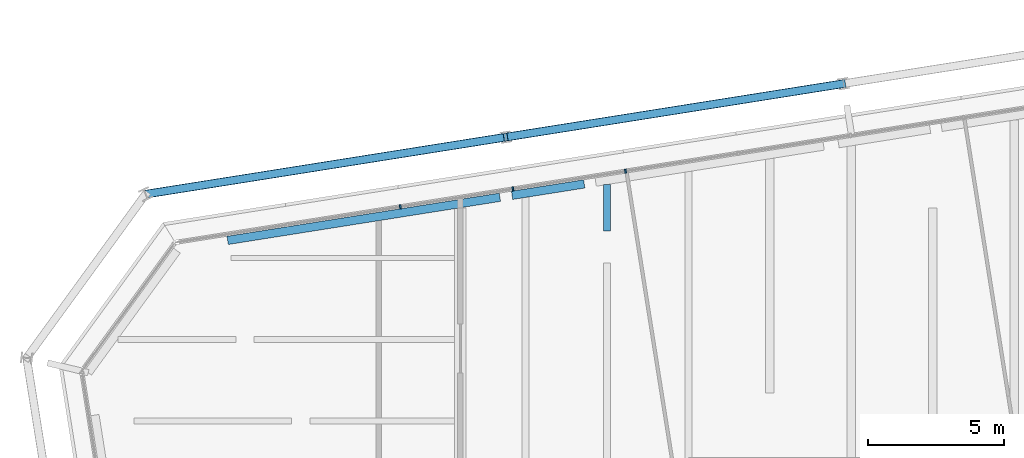
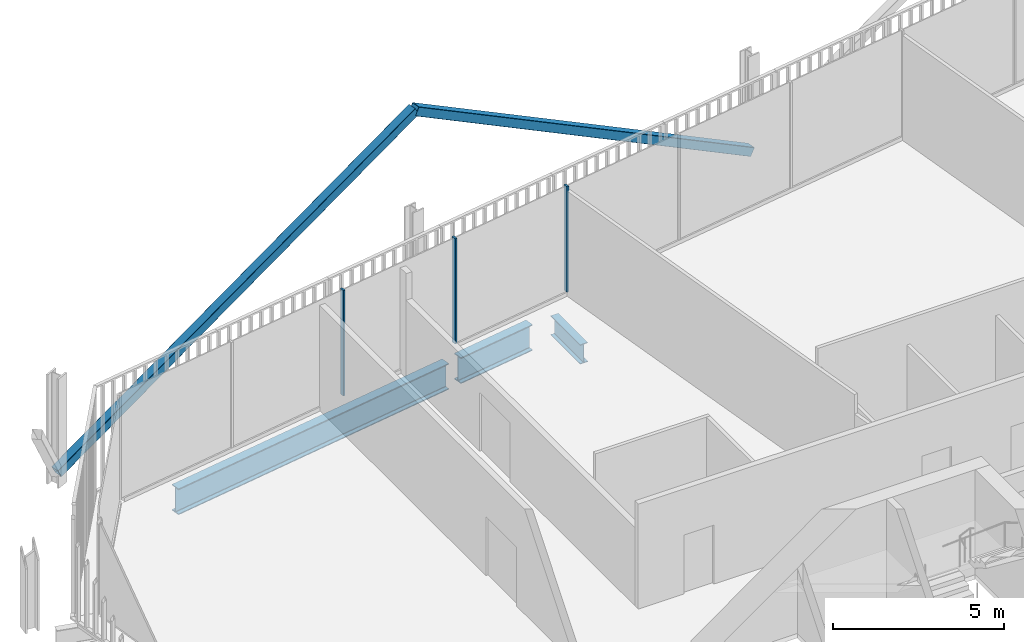
# One storey, part 12 of 20: 5 members, 3 beams, 1 element without a shape of its own.
"""IFC4 building model written with IfcOpenShell, lengths in metres."""

from ifc_helpers import new_model, si_unit, direction, frame, origin, origin_2d, place, context, subcontext, project, spatial, rectangle, hollow_rectangle, i_section, extrude, material, layer, layer_set, material_profile, profile_set, type_object, element, aggregate, save


model = new_model("IFC4")

# Units and contexts
model_context = context("Model", 3, precision=1e-05, world=origin(), true_north=direction((0.0, 1.0)))
body_context = subcontext(model_context, "Body", "Model", "MODEL_VIEW")
ifc_project = project(units=[si_unit("LENGTHUNIT", "METRE"), si_unit("AREAUNIT", "SQUARE_METRE"), si_unit("VOLUMEUNIT", "CUBIC_METRE"), si_unit("PLANEANGLEUNIT", "RADIAN"), si_unit("MASSUNIT", "GRAM", prefix="KILO")], contexts=[model_context])

# Site, building, storey
site_placement = place(None, origin())
site = spatial("IfcSite", under=ifc_project, at=site_placement, CompositionType="ELEMENT")
building_placement = place(site_placement, origin())
building = spatial("IfcBuilding", under=site, at=building_placement, Name="Millrace Tower", CompositionType="ELEMENT")
storey_placement = place(building_placement, frame((0.0, 0.0, 204.699951171875)))
storey = spatial("IfcBuildingStorey", under=building, at=storey_placement, Name="L46", CompositionType="ELEMENT", Elevation=204.699951171875)

# Curtain wall, members
ifc_material_1 = material(Name="Aluminium and glass", Category="aluminium")
ifc_layer = layer(ifc_material_1, 0.14990234375)
ifc_layer_set = layer_set([ifc_layer], Name="Aluminium and glass")
curtain_wall_type = type_object("IfcCurtainWallType", Name="CW-1 office vision curtain wall", PredefinedType="NOTDEFINED", material=ifc_layer_set)
curtain_wall_placement = place(storey_placement, origin())
curtain_wall = element("IfcCurtainWall", 1, at=curtain_wall_placement, inside=storey, type_object=curtain_wall_type, Name="Curtain wall D-F06 L46", PredefinedType="NOTDEFINED")
ifc_material_2 = material(Name="Aluminium", Category="aluminium")
ifc_material_profile_1 = material_profile(ifc_material_2, rectangle(XDim=0.06494140625, YDim=0.14990234375, at=origin_2d()))
ifc_profile_set_1 = profile_set([ifc_material_profile_1], Name="Aluminium")
member_type_1 = type_object("IfcMemberType", Name="CW-1 office vision curtain wall mullion", PredefinedType="MULLION", material=ifc_profile_set_1)
member_1_placement = place(storey_placement, frame((-8.31591796875, 27.207275390625, 0.14013671875), z_axis=(0.0, 0.0, 1.0), x_axis=(-0.987688339511, -0.156434471884, 0.0)))
member_1 = element("IfcMember", 2, at=member_1_placement, type_object=member_type_1, Name="CW1 mullion D-F06.6", PredefinedType="MULLION", context=body_context, shape_type="SweptSolid", body=[
    extrude(rectangle(XDim=0.06494140625, YDim=0.14990234375, at=origin_2d()), origin(), (0.0, 0.0, 1.0), 3.760009765625),
])
member_2_placement = place(storey_placement, frame((-12.46435546875, 26.55029296875, 0.14013671875), z_axis=(0.0, 0.0, 1.0), x_axis=(-0.987688339511, -0.156434471884, 0.0)))
member_2 = element("IfcMember", 3, at=member_2_placement, type_object=member_type_1, Name="CW1 mullion D-F06.7", PredefinedType="MULLION", context=body_context, shape_type="SweptSolid", body=[
    extrude(rectangle(XDim=0.06494140625, YDim=0.14990234375, at=origin_2d()), origin(), (0.0, 0.0, 1.0), 3.760009765625),
])
member_3_placement = place(storey_placement, frame((-16.612548828125, 25.893310546875, 0.14013671875), z_axis=(0.0, 0.0, 1.0), x_axis=(-0.987688339511, -0.156434471884, 0.0)))
member_3 = element("IfcMember", 4, at=member_3_placement, type_object=member_type_1, Name="CW1 mullion D-F06.8", PredefinedType="MULLION", context=body_context, shape_type="SweptSolid", body=[
    extrude(rectangle(XDim=0.06494140625, YDim=0.14990234375, at=origin_2d()), origin(), (0.0, 0.0, 1.0), 3.760009765625),
])
aggregate(curtain_wall, [member_1, member_2, member_3])

# Members
ifc_material_3 = material(Name="Steel ASTM A500 Grade C", Category="steel")
ifc_material_profile_2 = material_profile(ifc_material_3, hollow_rectangle(XDim=0.3046875, YDim=0.3046875, WallThickness=0.0126953125, InnerFilletRadius=0.00634765625, OuterFilletRadius=0.01904296875, at=origin_2d()))
ifc_profile_set_2 = profile_set([ifc_material_profile_2], Name="Steel ASTM A500 Grade C")
member_type_2 = type_object("IfcMemberType", Name="Exoskeleton brace HSS12x12x1/2", PredefinedType="BRACE", material=ifc_profile_set_2)
member_4_placement = place(storey_placement, frame((-0.288330078125, 30.427734375, 0.400146484375), z_axis=(-0.86339943803, -0.136738080691, 0.485637835943), x_axis=(0.156422238477, -0.987690277015, 0.0)))
element("IfcMember", 5, at=member_4_placement, inside=storey, type_object=member_type_2, Name="BRC-D-L46-11", PredefinedType="BRACE", context=body_context, shape_type="SweptSolid", body=[
    extrude(hollow_rectangle(XDim=0.3046875, YDim=0.3046875, WallThickness=0.0126953125, InnerFilletRadius=0.00634765625, OuterFilletRadius=0.01904296875, at=origin_2d()), origin(), (0.0, 0.0, 1.0), 14.4140625),
])
member_5_placement = place(storey_placement, frame((-25.996337890625, 26.35595703125, 0.400146484375), z_axis=(0.875829804371, 0.138730151249, 0.462251121048), x_axis=(-0.156448038127, 0.987686190734, 0.0)))
element("IfcMember", 6, at=member_5_placement, inside=storey, type_object=member_type_2, Name="BRC-D-L46-12", PredefinedType="BRACE", context=body_context, shape_type="SweptSolid", body=[
    extrude(hollow_rectangle(XDim=0.3046875, YDim=0.3046875, WallThickness=0.0126953125, InnerFilletRadius=0.00634765625, OuterFilletRadius=0.01904296875, at=origin_2d()), origin(), (0.0, 0.0, 1.0), 15.143310546875),
])

# Beams
ifc_material_4 = material(Name="Steel ASTM A992 Grade 50", Category="steel")
ifc_material_profile_3 = material_profile(ifc_material_4, i_section(OverallWidth=0.256591796875, OverallDepth=0.693359375, WebThickness=0.014404296875, FlangeThickness=0.023681640625, FilletRadius=0.01513671875, at=origin_2d()))
ifc_profile_set_3 = profile_set([ifc_material_profile_3], Name="Steel ASTM A992 Grade 50")
beam_type_1 = type_object("IfcBeamType", Name="Floor beam W27x114", PredefinedType="JOIST", material=ifc_profile_set_3)
beam_1_placement = place(storey_placement, frame((-9.0, 24.99462890625, -0.506591796875), z_axis=(0.0, 1.0, 0.0), x_axis=(-1.0, 0.0, 0.0)))
element("IfcBeam", 7, at=beam_1_placement, inside=storey, type_object=beam_type_1, Name="BM-D-L46-S1-S038-b", PredefinedType="JOIST", context=body_context, shape_type="SweptSolid", body=[
    extrude(i_section(OverallWidth=0.256591796875, OverallDepth=0.693359375, WebThickness=0.014404296875, FlangeThickness=0.023681640625, FilletRadius=0.01513671875, at=origin_2d()), origin(), (0.0, 0.0, 1.0), 1.71728515625),
])
ifc_material_5 = material(Name="Steel ASTM A992 Grade 50", Category="steel")
ifc_material_profile_4 = material_profile(ifc_material_5, i_section(OverallWidth=0.307373046875, OverallDepth=0.927001953125, WebThickness=0.01953125, FlangeThickness=0.031982421875, FilletRadius=0.01904296875, at=origin_2d()))
ifc_profile_set_4 = profile_set([ifc_material_profile_4], Name="Steel ASTM A992 Grade 50")
beam_type_2 = type_object("IfcBeamType", Name="Ring beam short span W36x194", PredefinedType="SPANDREL", material=ifc_profile_set_4)
beam_2_placement = place(storey_placement, frame((-12.4951171875, 26.31396484375, -0.62353515625), z_axis=(0.987697422942, 0.156377110584, 0.0), x_axis=(-0.156377110584, 0.987697422942, 0.0)))
element("IfcBeam", 8, at=beam_2_placement, inside=storey, type_object=beam_type_2, Name="RNG-D-L46-S1-06-a", PredefinedType="SPANDREL", context=body_context, shape_type="SweptSolid", body=[
    extrude(i_section(OverallWidth=0.307373046875, OverallDepth=0.927001953125, WebThickness=0.01953125, FlangeThickness=0.031982421875, FilletRadius=0.01904296875, at=origin_2d()), origin(), (0.0, 0.0, 1.0), 2.691650390625),
])
beam_3_placement = place(storey_placement, frame((-22.973876953125, 24.654296875, -0.62353515625), z_axis=(0.987688183278, 0.156435458296, 0.0), x_axis=(-0.156435458296, 0.987688183278, 0.0)))
element("IfcBeam", 9, at=beam_3_placement, inside=storey, type_object=beam_type_2, Name="RNG-D-L46-S1-05-b", PredefinedType="SPANDREL", context=body_context, shape_type="SweptSolid", body=[
    extrude(i_section(OverallWidth=0.307373046875, OverallDepth=0.927001953125, WebThickness=0.01953125, FlangeThickness=0.031982421875, FilletRadius=0.01904296875, at=origin_2d()), origin(), (0.0, 0.0, 1.0), 10.153564453125),
])

save(model, "model.ifc")
